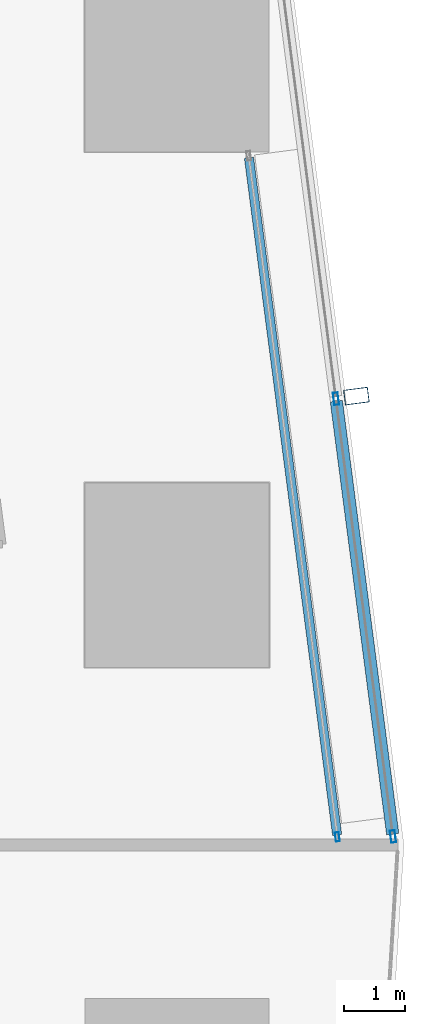
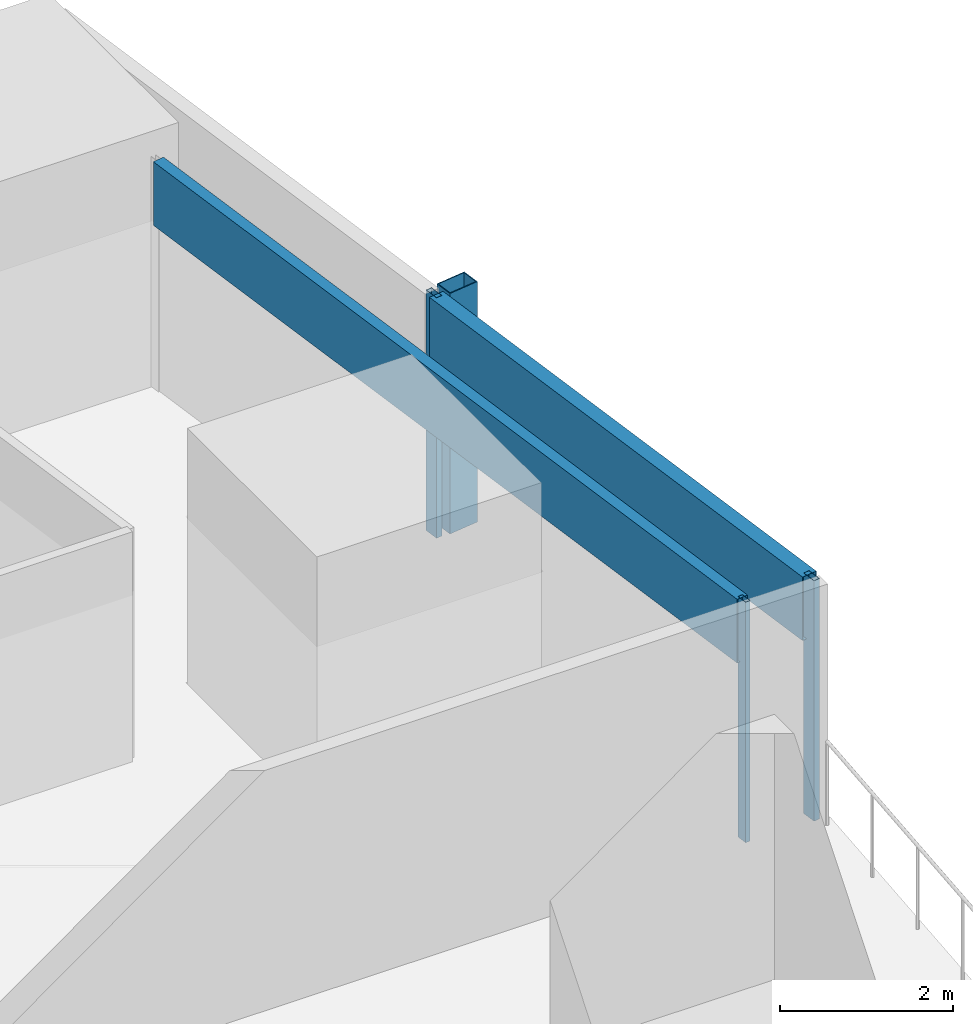
# One storey, part 24 of 38: 6 members, 2 elements without a shape of their own.
"""IFC4 building model written with IfcOpenShell, lengths in metres."""

from ifc_helpers import new_model, si_unit, direction, frame, origin, origin_2d, place, context, subcontext, project, spatial, hollow_rectangle, extrude, material, material_profile, profile_set, type_object, element, aggregate, save


model = new_model("IFC4")

# Units and contexts
model_context = context("Model", 3, precision=1e-05, world=origin(), true_north=direction((0.0, 1.0)))
body_context = subcontext(model_context, "Body", "Model", "MODEL_VIEW")
ifc_project = project(units=[si_unit("LENGTHUNIT", "METRE"), si_unit("AREAUNIT", "SQUARE_METRE"), si_unit("VOLUMEUNIT", "CUBIC_METRE"), si_unit("PLANEANGLEUNIT", "RADIAN"), si_unit("MASSUNIT", "GRAM", prefix="KILO")], contexts=[model_context])

# Site, building, storey
site_placement = place(None, origin())
site = spatial("IfcSite", under=ifc_project, at=site_placement, CompositionType="ELEMENT")
building_placement = place(site_placement, origin())
building = spatial("IfcBuilding", under=site, at=building_placement, Name="Rekha Terrace Tower", CompositionType="ELEMENT")
storey_placement = place(building_placement, frame((0.0, 0.0, 159.050048828125)))
storey = spatial("IfcBuildingStorey", under=building, at=storey_placement, Name="L40", CompositionType="ELEMENT", Elevation=159.050048828125)

# Curtain wall, member
ifc_material_1 = material(Name="Aluminium framing", Category="aluminium")
curtain_wall_type_1 = type_object("IfcCurtainWallType", Name="CW2 double skin outer glazing", PredefinedType="USERDEFINED", material=ifc_material_1)
curtain_wall_1_placement = place(storey_placement, origin())
curtain_wall_1 = element("IfcCurtainWall", 1, at=curtain_wall_1_placement, inside=storey, type_object=curtain_wall_type_1, Name="CW2 double skin outer glazing", ObjectType="DOUBLE SKIN OUTER GLAZING", PredefinedType="USERDEFINED")
ifc_material_2 = material(Name="Steel S355 with fluorocarbon finish", Category="steel")
ifc_material_profile_1 = material_profile(ifc_material_2, hollow_rectangle(XDim=0.25, YDim=0.39990234375, WallThickness=0.012451171875, at=origin_2d()), Name="RHS400x250x12.5")
ifc_profile_set_1 = profile_set([ifc_material_profile_1], Name="Steel S355 with fluorocarbon finish")
member_type_1 = type_object("IfcMemberType", Name="BL1 facade blade RHS 400 x 250", PredefinedType="USERDEFINED", material=ifc_profile_set_1)
member_1_placement = place(storey_placement, frame((70.12451171875, 53.31884765625, 0.0), z_axis=(0.0, 0.0, 1.0), x_axis=(-0.129119247945, 0.991629073702, 0.0)))
member_1 = element("IfcMember", 2, at=member_1_placement, type_object=member_type_1, Name="Facade blade", ObjectType="FACADE BLADE", PredefinedType="USERDEFINED", context=body_context, shape_type="SweptSolid", body=[
    extrude(hollow_rectangle(XDim=0.25, YDim=0.39990234375, WallThickness=0.012451171875, at=origin_2d()), origin(), (0.0, 0.0, 1.0), 3.39990234375),
])

# Curtain wall, members
curtain_wall_type_2 = type_object("IfcCurtainWallType", Name="CW1 double skin inner glazing", PredefinedType="USERDEFINED", material=ifc_material_1)
curtain_wall_2_placement = place(storey_placement, origin())
curtain_wall_2 = element("IfcCurtainWall", 3, at=curtain_wall_2_placement, inside=storey, type_object=curtain_wall_type_2, Name="CW1 double skin inner glazing", ObjectType="DOUBLE SKIN INNER GLAZING", PredefinedType="USERDEFINED")
ifc_material_3 = material(Name="Aluminium mullion section", Category="aluminium")
ifc_material_profile_2 = material_profile(ifc_material_3, hollow_rectangle(XDim=0.06494140625, YDim=0.14990234375, WallThickness=0.00390625, at=origin_2d()), Name="AL RHS 65x150")
ifc_profile_set_2 = profile_set([ifc_material_profile_2], Name="Aluminium mullion section")
member_type_2 = type_object("IfcMemberType", Name="CW1 mullion RHS 65 x 150", PredefinedType="MULLION", material=ifc_profile_set_2)
member_2_placement = place(storey_placement, frame((69.814453125, 46.13525390625, 0.0), z_axis=(0.0, 0.0, 1.0), x_axis=(-0.991629186246, -0.129118383606, 0.0)))
member_2 = element("IfcMember", 4, at=member_2_placement, type_object=member_type_2, Name="CW1 mullion 1", PredefinedType="MULLION", context=body_context, shape_type="SweptSolid", body=[
    extrude(hollow_rectangle(XDim=0.06494140625, YDim=0.14990234375, WallThickness=0.00390625, at=origin_2d()), origin(), (0.0, 0.0, 1.0), 3.39990234375),
])
ifc_material_4 = material(Name="Insulated aluminium spandrel box", Category="aluminium")
ifc_material_profile_3 = material_profile(ifc_material_4, hollow_rectangle(XDim=0.14990234375, YDim=0.89990234375, WallThickness=0.0029296875, at=origin_2d()), Name="AL SPANDREL BOX 150x900")
ifc_profile_set_3 = profile_set([ifc_material_profile_3], Name="Insulated aluminium spandrel box")
member_type_3 = type_object("IfcMemberType", Name="CW1 spandrel transom 150 x 900", PredefinedType="USERDEFINED", material=ifc_profile_set_3)
member_3_placement = place(storey_placement, frame((69.810302734375, 46.16748046875, 2.949951171875), z_axis=(-0.129122540633, 0.991628644958, 0.0), x_axis=(-0.991628644958, -0.129122540633, 0.0)))
member_3 = element("IfcMember", 5, at=member_3_placement, type_object=member_type_3, Name="CW1 spandrel transom 1", ObjectType="TRANSOM", PredefinedType="USERDEFINED", context=body_context, shape_type="SweptSolid", body=[
    extrude(hollow_rectangle(XDim=0.14990234375, YDim=0.89990234375, WallThickness=0.0029296875, at=origin_2d()), origin(), (0.0, 0.0, 1.0), 11.129150390625),
])
aggregate(curtain_wall_2, [member_2, member_3])

# Member
ifc_material_profile_4 = material_profile(ifc_material_3, hollow_rectangle(XDim=0.080078125, YDim=0.199951171875, WallThickness=0.00390625, at=origin_2d()), Name="AL RHS 80x200")
ifc_profile_set_4 = profile_set([ifc_material_profile_4], Name="Aluminium mullion section")
member_type_4 = type_object("IfcMemberType", Name="CW2 mullion RHS 80 x 200", PredefinedType="MULLION", material=ifc_profile_set_4)
member_4_placement = place(storey_placement, frame((70.72119140625, 46.142578125, 0.0), z_axis=(0.0, 0.0, 1.0), x_axis=(-0.991629186242, -0.129118383641, 0.0)))
member_4 = element("IfcMember", 6, at=member_4_placement, type_object=member_type_4, Name="CW2 mullion 1", PredefinedType="MULLION", context=body_context, shape_type="SweptSolid", body=[
    extrude(hollow_rectangle(XDim=0.080078125, YDim=0.199951171875, WallThickness=0.00390625, at=origin_2d()), origin(), (0.0, 0.0, 1.0), 3.39990234375),
])

member_5_placement = place(storey_placement, frame((69.792236328125, 53.275634765625, 0.0), z_axis=(0.0, 0.0, 1.0), x_axis=(-0.991629186242, -0.129118383641, 0.0)))
member_5 = element("IfcMember", 7, at=member_5_placement, type_object=member_type_4, Name="CW2 mullion 2", PredefinedType="MULLION", context=body_context, shape_type="SweptSolid", body=[
    extrude(hollow_rectangle(XDim=0.080078125, YDim=0.199951171875, WallThickness=0.00390625, at=origin_2d()), origin(), (0.0, 0.0, 1.0), 3.39990234375),
])

ifc_material_profile_5 = material_profile(ifc_material_4, hollow_rectangle(XDim=0.199951171875, YDim=0.89990234375, WallThickness=0.0029296875, at=origin_2d()), Name="AL SPANDREL BOX 200x900")
ifc_profile_set_5 = profile_set([ifc_material_profile_5], Name="Insulated aluminium spandrel box")
member_type_5 = type_object("IfcMemberType", Name="CW2 spandrel transom 200 x 900", PredefinedType="USERDEFINED", material=ifc_profile_set_5)
member_6_placement = place(storey_placement, frame((70.716064453125, 46.182373046875, 2.949951171875), z_axis=(-0.129123481412, 0.991628522456, 0.0), x_axis=(-0.991628522456, -0.129123481412, 0.0)))
member_6 = element("IfcMember", 8, at=member_6_placement, type_object=member_type_5, Name="CW2 spandrel transom 1", ObjectType="TRANSOM", PredefinedType="USERDEFINED", context=body_context, shape_type="SweptSolid", body=[
    extrude(hollow_rectangle(XDim=0.199951171875, YDim=0.89990234375, WallThickness=0.0029296875, at=origin_2d()), origin(), (0.0, 0.0, 1.0), 7.113037109375),
])

aggregate(curtain_wall_1, [member_4, member_5, member_6, member_1])

save(model, "model.ifc")
